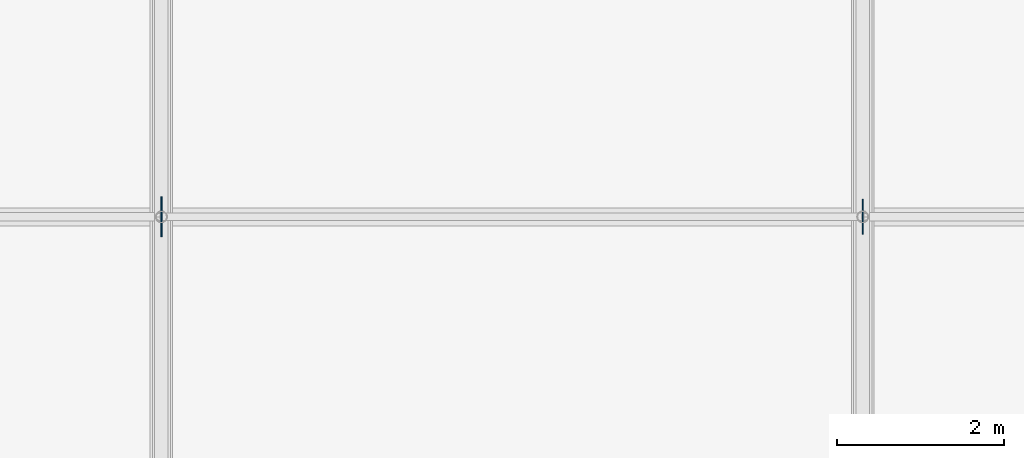
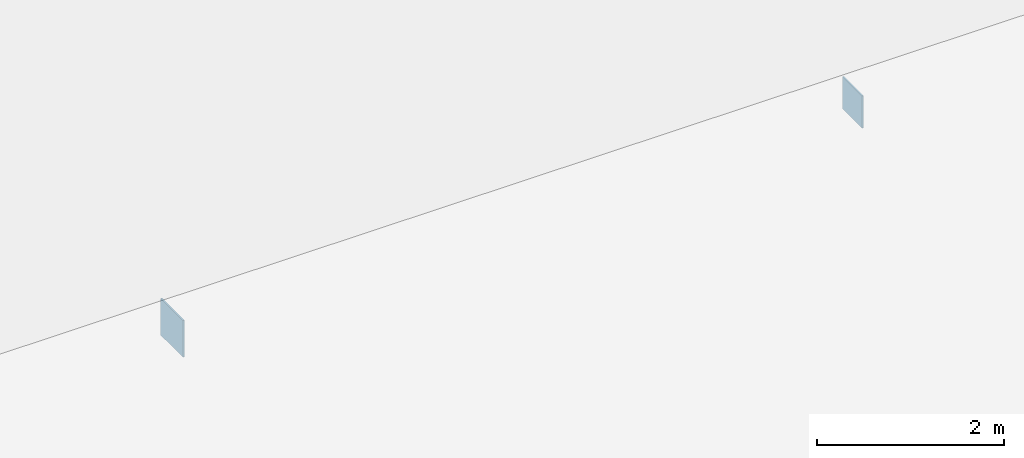
# One storey, part 172 of 194: 2 plates.
"""IFC4 building model written with IfcOpenShell, lengths in metres."""

import ifcopenshell
import ifcopenshell.guid

model = None  # the IFC model being written
_history = None  # IfcOwnerHistory: only IFC2X3 demands one
_inside = {}  # id of a spatial element -> (the spatial element, [elements in it])
_under = {}  # id of a project, library or spatial element -> (it, [spatial elements below it])
_declared = {}  # id of a project -> (the project, [libraries it declares])
_typed = {}  # id of a type object -> (the type object, [elements of that type])
_made_of = {}  # id of a material, layer set ... -> (it, [elements and type objects made of it])


def new_model(schema):
    """Start an empty IFC model of exactly this schema.

    Asked for "IFC4X3", IfcOpenShell would pick the latest addendum, in which some entities
    have other attributes; the version numbers below select the first issue.
    IFC2X3 requires an IfcOwnerHistory on every rooted entity: one is made here for all.
    """
    global model, _history
    if schema == "IFC4X3":
        model = ifcopenshell.file(schema_version=(4, 3, 0, 0))
    else:
        model = ifcopenshell.file(schema=schema)
    _inside.clear()
    _under.clear()
    _declared.clear()
    _typed.clear()
    _made_of.clear()
    _history = None
    if model.schema == "IFC2X3":
        org = make("IfcOrganization", Name="unknown")
        user = make(
            "IfcPersonAndOrganization",
            ThePerson=make("IfcPerson", FamilyName="unknown"),
            TheOrganization=org,
        )
        app = make(
            "IfcApplication",
            ApplicationDeveloper=org,
            Version="unknown",
            ApplicationFullName="unknown",
            ApplicationIdentifier="unknown",
        )
        _history = make(
            "IfcOwnerHistory",
            OwningUser=user,
            OwningApplication=app,
            ChangeAction="ADDED",
            CreationDate=0,
        )
    return model


def make(cls, **values):
    """One entity of the class cls with the attributes given. An attribute that is None is left unset."""
    return model.create_entity(
        cls, **{name: value for name, value in values.items() if value is not None}
    )


def rooted(cls, **values):
    """An entity with a GlobalId (a new one), such as an element, a storey or a relation."""
    return make(cls, GlobalId=ifcopenshell.guid.new(), OwnerHistory=_history, **values)


def si_unit(unit_type, name, prefix=None):
    """IfcSIUnit, for example si_unit("LENGTHUNIT", "METRE", prefix="MILLI")."""
    return make("IfcSIUnit", UnitType=unit_type, Prefix=prefix, Name=name)


def assignment(units):
    """IfcUnitAssignment: the units of a project."""
    return None if units is None else make("IfcUnitAssignment", Units=units)


def point(xyz):
    """IfcCartesianPoint."""
    return None if xyz is None else make("IfcCartesianPoint", Coordinates=xyz)


def direction(xyz):
    """IfcDirection."""
    return None if xyz is None else make("IfcDirection", DirectionRatios=xyz)


def frame(location, z_axis=None, x_axis=None):
    """IfcAxis2Placement3D, a coordinate frame: its origin and axes. An axis left out is left unset."""
    return make(
        "IfcAxis2Placement3D",
        Location=point(location),
        Axis=direction(z_axis),
        RefDirection=direction(x_axis),
    )


def frame_2d(location, x_axis=None):
    """IfcAxis2Placement2D, a coordinate frame in the plane: its origin and x axis."""
    return make(
        "IfcAxis2Placement2D", Location=point(location), RefDirection=direction(x_axis)
    )


def origin():
    """The frame at (0, 0, 0) with its axes left unset."""
    return frame((0.0, 0.0, 0.0))


def origin_2d():
    """The frame at (0, 0) in the plane with its x axis left unset."""
    return frame_2d((0.0, 0.0))


def place(relative_to, where):
    """IfcLocalPlacement: puts the frame where relative to a parent placement (None: the world)."""
    return make(
        "IfcLocalPlacement", PlacementRelTo=relative_to, RelativePlacement=where
    )


def context(
    kind, dimensions, precision=None, world=None, true_north=None, identifier=None
):
    """IfcGeometricRepresentationContext, for example the 3D "Model" context."""
    return make(
        "IfcGeometricRepresentationContext",
        ContextIdentifier=identifier,
        ContextType=kind,
        CoordinateSpaceDimension=dimensions,
        Precision=precision,
        WorldCoordinateSystem=world,
        TrueNorth=true_north,
    )


def subcontext(parent, identifier, kind, view, scale=None):
    """IfcGeometricRepresentationSubContext, for example "Body" below "Model"."""
    return make(
        "IfcGeometricRepresentationSubContext",
        ContextIdentifier=identifier,
        ContextType=kind,
        ParentContext=parent,
        TargetScale=scale,
        TargetView=view,
    )


def project(units=None, contexts=None):
    """IfcProject with its units and contexts."""
    return rooted(
        "IfcProject",
        Name="project",
        RepresentationContexts=contexts,
        UnitsInContext=assignment(units),
    )


def spatial(cls, under=None, at=None, **own):
    """A site, building, storey or space (cls), placed at a placement, below another one or the project."""
    s = rooted(cls, ObjectPlacement=at, **own)
    if under is not None:
        _under.setdefault(under.id(), (under, []))[1].append(s)
    return s


def profile(cls, at=None, kind="AREA", **sizes):
    """A parametric profile (cls). Its sizes go by their IFC names, for example OverallWidth=200.0."""
    return make(cls, ProfileType=kind, Position=at, **sizes)


def rectangle(**sizes):
    """IfcRectangleProfileDef."""
    return profile("IfcRectangleProfileDef", **sizes)


def extrude(swept, where, along, depth):
    """IfcExtrudedAreaSolid: the profile swept, set in the frame where, extruded along a direction by depth."""
    return make(
        "IfcExtrudedAreaSolid",
        SweptArea=swept,
        Position=where,
        ExtrudedDirection=direction(along),
        Depth=depth,
    )


def shape(context_of_items, identifier, shape_type, items):
    """IfcShapeRepresentation: the items that make up one representation, for example the "Body"."""
    return make(
        "IfcShapeRepresentation",
        ContextOfItems=context_of_items,
        RepresentationIdentifier=identifier,
        RepresentationType=shape_type,
        Items=items,
    )


def material(Name=None, Category=None):
    """IfcMaterial."""
    return make("IfcMaterial", Name=Name, Category=Category)


def layer(
    of_material, thickness, ventilated=None, Name=None, Category=None, Priority=None
):
    """IfcMaterialLayer: one layer of a wall or slab, of a material (None: an air gap)."""
    return make(
        "IfcMaterialLayer",
        Material=of_material,
        LayerThickness=thickness,
        IsVentilated=ventilated,
        Name=Name,
        Category=Category,
        Priority=Priority,
    )


def layer_set(layers, Name=None):
    """IfcMaterialLayerSet."""
    return make("IfcMaterialLayerSet", MaterialLayers=layers, LayerSetName=Name)


def made_of(thing, what):
    """Note that an element or type object is made of a material, layer set ...; save() writes the relation."""
    if what is not None:
        _made_of.setdefault(what.id(), (what, []))[1].append(thing)
    return thing


def type_object(cls, material=None, **own):
    """A type object (cls), such as IfcWallType, which elements share."""
    return made_of(rooted(cls, **own), material)


def element(
    cls,
    number,
    at=None,
    inside=None,
    cuts=None,
    type_object=None,
    material=None,
    context=None,
    identifier="Body",
    shape_type=None,
    held_by="IfcProductDefinitionShape",
    body=None,
    shapes=None,
    **own,
):
    """One element of the class cls, such as IfcWall. Its Tag is "e" and its number.

    at: its placement. inside: the storey or other place that contains it. cuts: it is an
    opening in that element (IfcRelVoidsElement). A single representation is given by context,
    identifier, shape_type and body (its items); several are given by shapes. held_by: the class
    of the entity that holds the representations. save() writes the other relations.
    """
    e = rooted(cls, Tag="e%d" % number, ObjectPlacement=at, **own)
    if body is not None:
        shapes = [shape(context, identifier, shape_type, body)]
    if shapes is not None:
        e.Representation = make(held_by, Representations=shapes)
    if inside is not None:
        _inside.setdefault(inside.id(), (inside, []))[1].append(e)
    if cuts is not None:
        rooted(
            "IfcRelVoidsElement", RelatingBuildingElement=cuts, RelatedOpeningElement=e
        )
    if type_object is not None:
        _typed.setdefault(type_object.id(), (type_object, []))[1].append(e)
    return made_of(e, material)


def aggregate(whole, parts):
    """IfcRelAggregates: a whole, such as a stair, and the parts it consists of."""
    return rooted("IfcRelAggregates", RelatingObject=whole, RelatedObjects=parts)


def save(model, path):
    """Write the relations noted so far, then the file.

    IfcRelAggregates (storeys below a building ...), IfcRelContainedInSpatialStructure (elements
    in a storey), IfcRelDefinesByType, IfcRelAssociatesMaterial and IfcRelDeclares: one each for
    every whole, place, type object, material and project.
    """
    for whole, parts in _under.values():
        aggregate(whole, parts)
    for where, things in _inside.values():
        rooted(
            "IfcRelContainedInSpatialStructure",
            RelatedElements=things,
            RelatingStructure=where,
        )
    for kind, things in _typed.values():
        rooted("IfcRelDefinesByType", RelatedObjects=things, RelatingType=kind)
    for what, things in _made_of.values():
        rooted("IfcRelAssociatesMaterial", RelatedObjects=things, RelatingMaterial=what)
    for by, libraries in _declared.values():
        rooted("IfcRelDeclares", RelatingContext=by, RelatedDefinitions=libraries)
    model.write(path)


model = new_model("IFC4")

# Units and contexts
model_context = context("Model", 3, precision=1e-05, world=origin(), true_north=direction((0.0, 1.0)))
body_context = subcontext(model_context, "Body", "Model", "MODEL_VIEW")
ifc_project = project(units=[si_unit("LENGTHUNIT", "METRE"), si_unit("AREAUNIT", "SQUARE_METRE"), si_unit("VOLUMEUNIT", "CUBIC_METRE"), si_unit("PLANEANGLEUNIT", "RADIAN"), si_unit("MASSUNIT", "GRAM", prefix="KILO")], contexts=[model_context])

# Site, building, storey
site_placement = place(None, origin())
site = spatial("IfcSite", under=ifc_project, at=site_placement, CompositionType="ELEMENT")
building_placement = place(site_placement, origin())
building = spatial("IfcBuilding", under=site, at=building_placement, Name="Kazenagashi Tramway Depot", CompositionType="ELEMENT")
storey_placement = place(building_placement, frame((0.0, 0.0, 23.7)))
storey = spatial("IfcBuildingStorey", under=building, at=storey_placement, Name="ROOF", CompositionType="ELEMENT", Elevation=23.7)

# Plates
ifc_material = material(Name="Steel SN490B", Category="steel")
ifc_layer_1 = layer(ifc_material, 0.019)
ifc_layer_set_1 = layer_set([ifc_layer_1], Name="Steel SN490B")
plate_type_1 = type_object("IfcPlateType", Name="GP-02", PredefinedType="USERDEFINED", material=ifc_layer_set_1)
plate_1_placement = place(storey_placement, frame((112.0, 115.0, -10.84), z_axis=(0.0, 0.0, 1.0), x_axis=(0.0, 1.0, 0.0)))
element("IfcPlate", 1, at=plate_1_placement, inside=storey, type_object=plate_type_1, Name="Structural Node Plate GP-02 PLT-0034", ObjectType="GUSSET PLATE", PredefinedType="USERDEFINED", context=body_context, shape_type="SweptSolid", body=[
    extrude(rectangle(XDim=0.48, YDim=0.019, at=origin_2d()), origin(), (0.0, 0.0, 1.0), 0.48),
])
ifc_layer_2 = layer(ifc_material, 0.016)
ifc_layer_set_2 = layer_set([ifc_layer_2], Name="Steel SN490B")
plate_type_2 = type_object("IfcPlateType", Name="GP-03", PredefinedType="USERDEFINED", material=ifc_layer_set_2)
plate_2_placement = place(storey_placement, frame((120.4, 115.0, -10.81), z_axis=(0.0, 0.0, 1.0), x_axis=(0.0, 1.0, 0.0)))
element("IfcPlate", 2, at=plate_2_placement, inside=storey, type_object=plate_type_2, Name="Structural Node Plate GP-03 PLT-0038", ObjectType="GUSSET PLATE", PredefinedType="USERDEFINED", context=body_context, shape_type="SweptSolid", body=[
    extrude(rectangle(XDim=0.42, YDim=0.016, at=origin_2d()), origin(), (0.0, 0.0, 1.0), 0.42),
])

save(model, "model.ifc")
